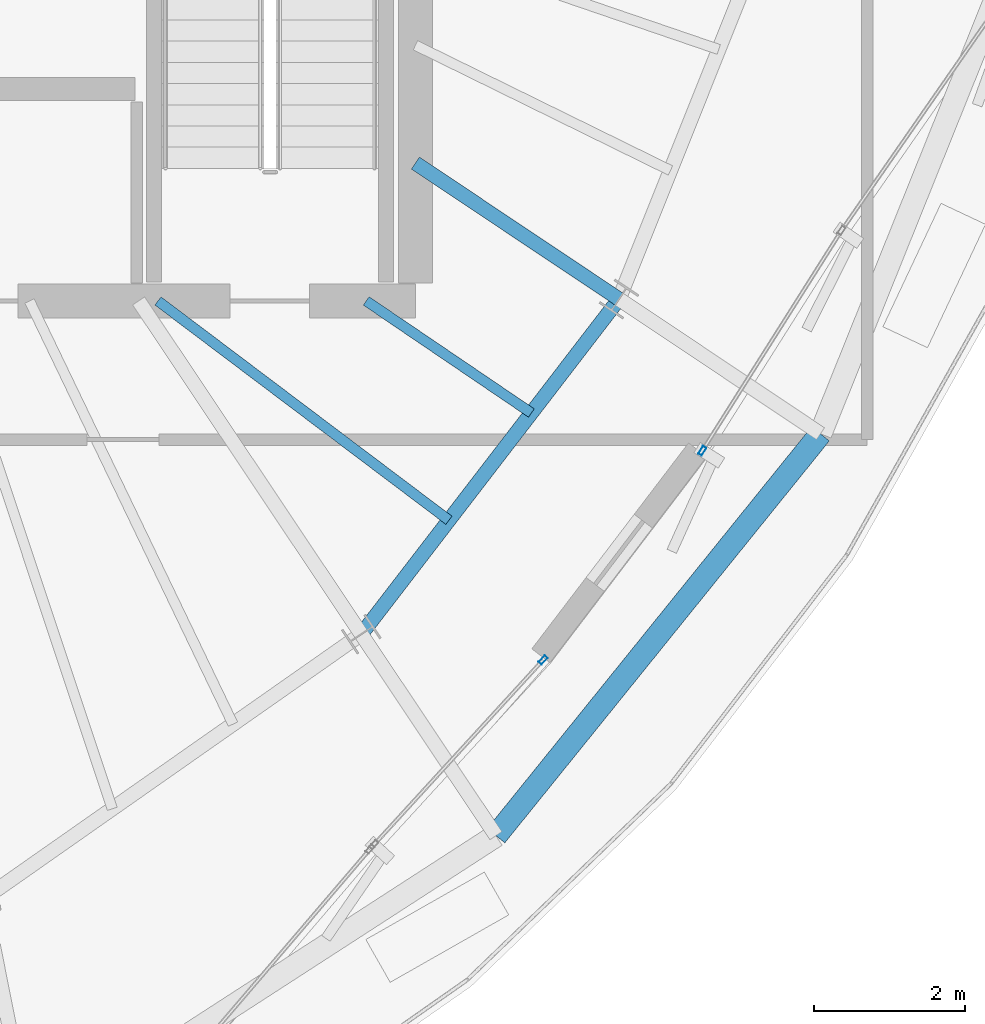
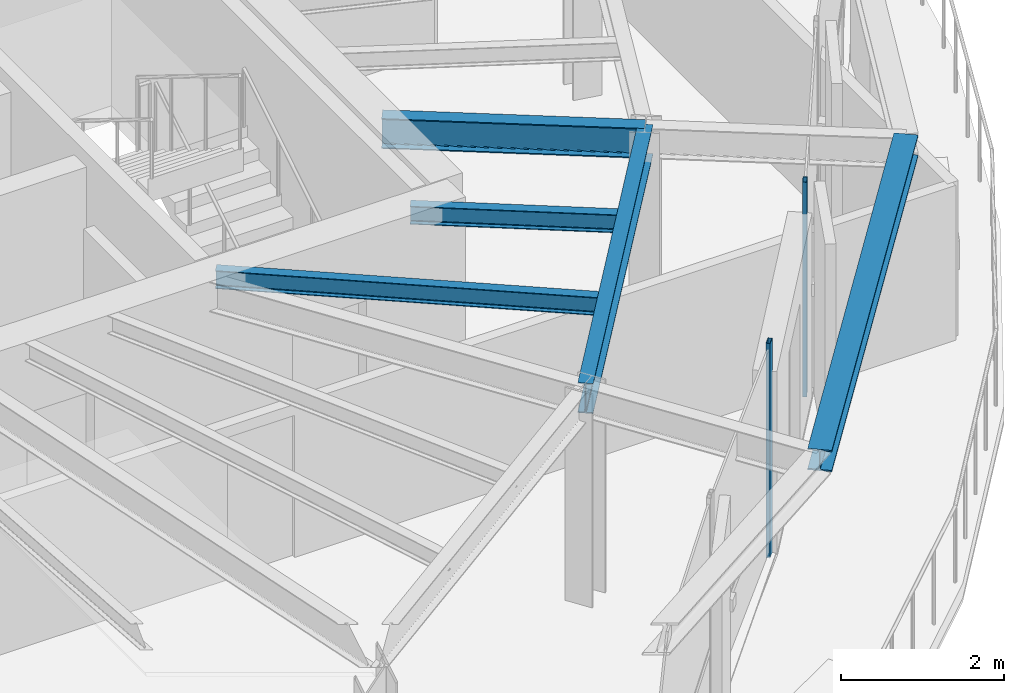
# One storey, part 9 of 30: 5 beams, 2 members, 2 elements without a shape of their own.
"""IFC4 building model written with IfcOpenShell, lengths in metres."""

from ifc_helpers import new_model, si_unit, direction, frame, origin, origin_2d, place, context, subcontext, project, spatial, hollow_rectangle, i_section, extrude, source, transform, mapped, material, layer, layer_set, material_profile, profile_set, type_object, element, aggregate, save


model = new_model("IFC4")

# Units and contexts
model_context = context("Model", 3, precision=1e-05, world=origin(), true_north=direction((0.0, 1.0)))
body_context = subcontext(model_context, "Body", "Model", "MODEL_VIEW")
ifc_project = project(units=[si_unit("LENGTHUNIT", "METRE"), si_unit("AREAUNIT", "SQUARE_METRE"), si_unit("VOLUMEUNIT", "CUBIC_METRE"), si_unit("PLANEANGLEUNIT", "RADIAN"), si_unit("MASSUNIT", "GRAM", prefix="KILO"), si_unit("THERMODYNAMICTEMPERATUREUNIT", "KELVIN")], contexts=[model_context])

# Site, building, storey
site_placement = place(None, origin())
site = spatial("IfcSite", under=ifc_project, at=site_placement, CompositionType="ELEMENT")
building_placement = place(site_placement, origin())
building = spatial("IfcBuilding", under=site, at=building_placement, Name="Kethvar Cultural Tower", CompositionType="ELEMENT")
storey_placement = place(building_placement, frame((0.0, 0.0, 293.949951171875)))
storey = spatial("IfcBuildingStorey", under=building, at=storey_placement, Name="L78", CompositionType="ELEMENT", Elevation=293.949951171875)

# Beams
ifc_material_1 = material(Name="Steel S355J2", Category="steel")
ifc_material_profile_1 = material_profile(ifc_material_1, i_section(OverallWidth=0.18994140625, OverallDepth=0.449951171875, WebThickness=0.009521484375, FlangeThickness=0.0146484375, FilletRadius=0.02099609375, at=origin_2d()), Name="Steel S355J2 — IPE450")
ifc_profile_set_1 = profile_set([ifc_material_profile_1], Name="Steel S355J2 — IPE450")
beam_type_1 = type_object("IfcBeamType", Name="BM-IPE450", PredefinedType="BEAM", material=ifc_profile_set_1)
shared_shape_1 = source(origin(), body_context, "Body", "SweptSolid", [
    extrude(i_section(OverallWidth=0.18994140625, OverallDepth=0.449951171875, WebThickness=0.009521484375, FlangeThickness=0.0146484375, FilletRadius=0.02099609375, at=origin_2d()), origin(), (0.0, 0.0, 1.0), 3.231689453125),
])
beam_1_placement = place(storey_placement, frame((55.60009765625, 21.919921875, 2.983154296875), z_axis=(0.831468708055, -0.55557158632, 0.0), x_axis=(0.55557158632, 0.831468708055, 0.0)))
element("IfcBeam", 1, at=beam_1_placement, inside=storey, type_object=beam_type_1, Name="L78 Primary Radial Beam RB-15", PredefinedType="BEAM", context=body_context, shape_type="MappedRepresentation", body=[
    mapped(shared_shape_1, transform((0.0, 0.0, 0.0), scale=1.0)),
])
shared_shape_2 = source(origin(), body_context, "Body", "SweptSolid", [
    extrude(i_section(OverallWidth=0.18994140625, OverallDepth=0.449951171875, WebThickness=0.009521484375, FlangeThickness=0.0146484375, FilletRadius=0.02099609375, at=origin_2d()), origin(), (0.0, 0.0, 1.0), 5.5810546875),
])
beam_2_placement = place(storey_placement, frame((54.885009765625, 15.7001953125, 2.983154296875), z_axis=(0.60957334008, 0.79272967843, 0.0), x_axis=(-0.79272967843, 0.60957334008, 0.0)))
element("IfcBeam", 2, at=beam_2_placement, inside=storey, type_object=beam_type_1, Name="L78 Column Ring Tie Beam CR-14", PredefinedType="BEAM", context=body_context, shape_type="MappedRepresentation", body=[
    mapped(shared_shape_2, transform((0.0, 0.0, 0.0), scale=1.0)),
])
ifc_material_profile_2 = material_profile(ifc_material_1, i_section(OverallWidth=0.300048828125, OverallDepth=0.320068359375, WebThickness=0.011474609375, FlangeThickness=0.0205078125, FilletRadius=0.027099609375, at=origin_2d()), Name="Steel S355J2 — HEB320")
ifc_profile_set_2 = profile_set([ifc_material_profile_2], Name="Steel S355J2 — HEB320")
beam_type_2 = type_object("IfcBeamType", Name="BM-SP320", PredefinedType="SPANDREL", material=ifc_profile_set_2)
shared_shape_3 = source(origin(), body_context, "Body", "SweptSolid", [
    extrude(i_section(OverallWidth=0.300048828125, OverallDepth=0.320068359375, WebThickness=0.011474609375, FlangeThickness=0.0205078125, FilletRadius=0.027099609375, at=origin_2d()), origin(), (0.0, 0.0, 1.0), 6.8212890625),
])
beam_3_placement = place(storey_placement, frame((56.66259765625, 13.039306640625, 3.048095703125), z_axis=(0.628197971595, 0.778053538315, 0.0), x_axis=(-0.778053538315, 0.628197971595, 0.0)))
element("IfcBeam", 3, at=beam_3_placement, inside=storey, type_object=beam_type_2, Name="L78 Perimeter Spandrel Beam SP-14", PredefinedType="SPANDREL", context=body_context, shape_type="MappedRepresentation", body=[
    mapped(shared_shape_3, transform((0.0, 0.0, 0.0), scale=1.0)),
])
ifc_material_profile_3 = material_profile(ifc_material_1, i_section(OverallWidth=0.135009765625, OverallDepth=0.27001953125, WebThickness=0.006591796875, FlangeThickness=0.01025390625, FilletRadius=0.014892578125, at=origin_2d()), Name="Steel S355J2 — IPE270")
ifc_profile_set_3 = profile_set([ifc_material_profile_3], Name="Steel S355J2 — IPE270")
beam_type_3 = type_object("IfcBeamType", Name="BM-J270", PredefinedType="JOIST", material=ifc_profile_set_3)
shared_shape_4 = source(origin(), body_context, "Body", "SweptSolid", [
    extrude(i_section(OverallWidth=0.135009765625, OverallDepth=0.27001953125, WebThickness=0.006591796875, FlangeThickness=0.01025390625, FilletRadius=0.014892578125, at=origin_2d()), origin(), (0.0, 0.0, 1.0), 4.810791015625),
])
beam_4_placement = place(storey_placement, frame((52.199951171875, 20.10009765625, 3.072998046875), z_axis=(0.798542152732, -0.601938892505, 0.0), x_axis=(0.601938892505, 0.798542152732, 0.0)))
element("IfcBeam", 4, at=beam_4_placement, inside=storey, type_object=beam_type_3, Name="L78 Composite Floor Joist J-14A", PredefinedType="JOIST", context=body_context, shape_type="MappedRepresentation", body=[
    mapped(shared_shape_4, transform((0.0, 0.0, 0.0), scale=1.0)),
])
shared_shape_5 = source(origin(), body_context, "Body", "SweptSolid", [
    extrude(i_section(OverallWidth=0.135009765625, OverallDepth=0.27001953125, WebThickness=0.006591796875, FlangeThickness=0.01025390625, FilletRadius=0.014892578125, at=origin_2d()), origin(), (0.0, 0.0, 1.0), 2.635009765625),
])
beam_5_placement = place(storey_placement, frame((54.949951171875, 20.10009765625, 3.072998046875), z_axis=(0.827446562598, -0.561544464887, 0.0), x_axis=(0.561544464887, 0.827446562598, 0.0)))
element("IfcBeam", 5, at=beam_5_placement, inside=storey, type_object=beam_type_3, Name="L78 Composite Floor Joist J-14B", PredefinedType="JOIST", context=body_context, shape_type="MappedRepresentation", body=[
    mapped(shared_shape_5, transform((0.0, 0.0, 0.0), scale=1.0)),
])

# Curtain wall, member
ifc_material_2 = material(Name="Aluminium 6063-T6", Category="aluminium")
ifc_layer = layer(ifc_material_2, 0.179931640625, Name="Aluminium 6063-T6", Category="aluminium")
ifc_layer_set = layer_set([ifc_layer], Name="Aluminium 6063-T6 (180 mm)")
curtain_wall_type = type_object("IfcCurtainWallType", Name="CW-SYS-05-Z56", PredefinedType="NOTDEFINED", material=ifc_layer_set)
curtain_wall_1_placement = place(storey_placement, origin())
curtain_wall_1 = element("IfcCurtainWall", 6, at=curtain_wall_1_placement, inside=storey, type_object=curtain_wall_type, Name="L78 Curtain Wall Run 05", PredefinedType="NOTDEFINED")
ifc_material_profile_4 = material_profile(ifc_material_2, hollow_rectangle(XDim=0.054931640625, YDim=0.1201171875, WallThickness=0.00390625, at=origin_2d()), Name="Aluminium 6063-T6 — RHS120x55x4")
ifc_profile_set_4 = profile_set([ifc_material_profile_4], Name="Aluminium 6063-T6 — RHS120x55x4")
member_type = type_object("IfcMemberType", Name="CW-SYS-05-Z56-MUL", PredefinedType="MULLION", material=ifc_profile_set_4)
shared_shape_6 = source(origin(), body_context, "Body", "SweptSolid", [
    extrude(hollow_rectangle(XDim=0.054931640625, YDim=0.1201171875, WallThickness=0.00390625, at=origin_2d()), origin(), (0.0, 0.0, 1.0), 3.2099609375),
])
member_1_placement = place(storey_placement, frame((57.284912109375, 15.359619140625, 0.0), z_axis=(0.0, 0.0, 1.0), x_axis=(-0.737513117358, 0.675332808121, 0.0)))
member_1 = element("IfcMember", 7, at=member_1_placement, type_object=member_type, Name="CW-L78-R05 Mullion 2", PredefinedType="MULLION", context=body_context, shape_type="MappedRepresentation", body=[
    mapped(shared_shape_6, transform((0.0, 0.0, 0.0), scale=1.0)),
])
aggregate(curtain_wall_1, [member_1])

curtain_wall_2_placement = place(storey_placement, origin())
curtain_wall_2 = element("IfcCurtainWall", 8, at=curtain_wall_2_placement, inside=storey, type_object=curtain_wall_type, Name="L78 Curtain Wall Run 06", PredefinedType="NOTDEFINED")
member_2_placement = place(storey_placement, frame((59.386962890625, 18.12109375, 0.0), z_axis=(0.0, 0.0, 1.0), x_axis=(-0.845336434645, 0.534234323365, 0.0)))
member_2 = element("IfcMember", 9, at=member_2_placement, type_object=member_type, Name="CW-L78-R06 Mullion 1", PredefinedType="MULLION", context=body_context, shape_type="MappedRepresentation", body=[
    mapped(shared_shape_6, transform((0.0, 0.0, 0.0), scale=1.0)),
])
aggregate(curtain_wall_2, [member_2])

save(model, "model.ifc")
